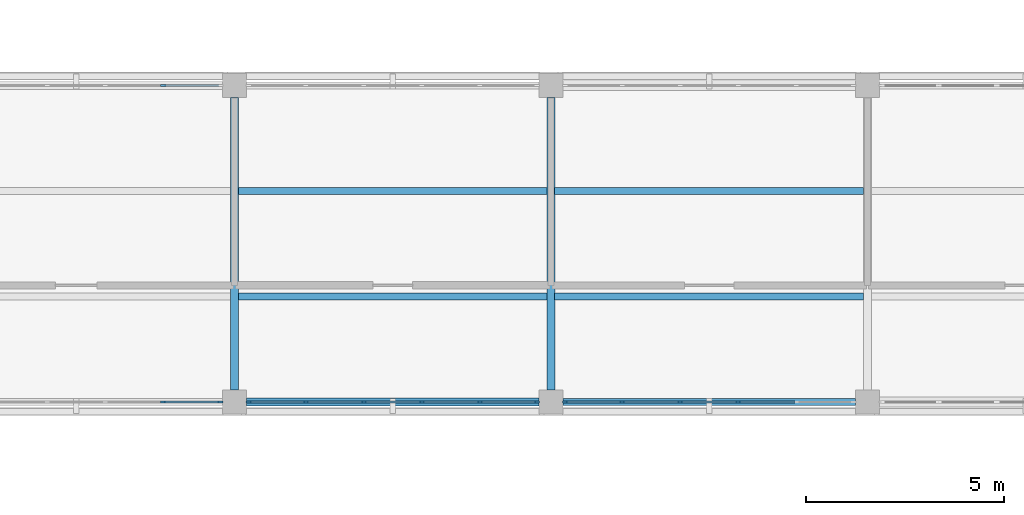
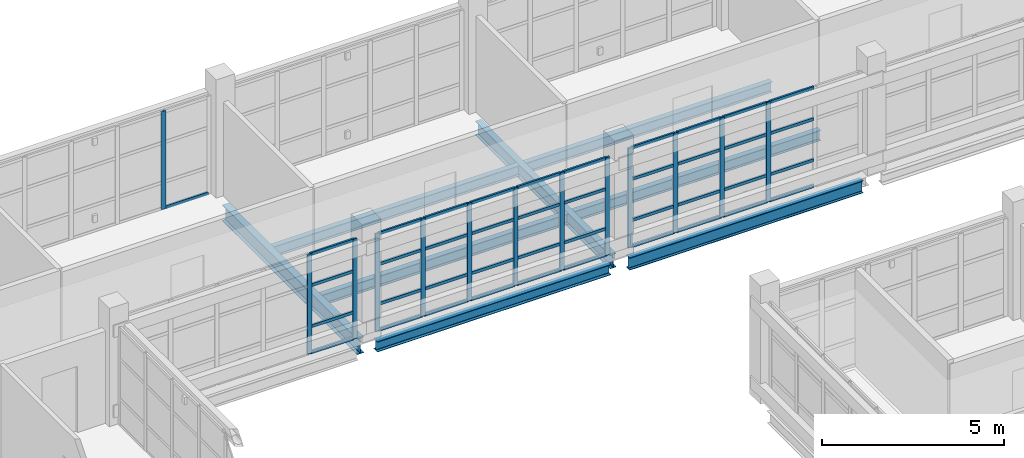
# One storey, part 51 of 126: 54 members, 8 beams, 4 elements without a shape of their own.
"""IFC4 building model written with IfcOpenShell, lengths in metres."""

from ifc_helpers import new_model, si_unit, derived_unit, direction, frame, origin, origin_2d, place, context, subcontext, project, spatial, rectangle, i_section, extrude, material, layer, layer_set, material_profile, profile_set, type_object, element, aggregate, save


model = new_model("IFC4")

# Units and contexts
model_context = context("Model", 3, precision=1e-05, world=origin(), true_north=direction((0.0, 1.0)))
body_context = subcontext(model_context, "Body", "Model", "MODEL_VIEW")
ifc_project = project(units=[si_unit("LENGTHUNIT", "METRE"), si_unit("AREAUNIT", "SQUARE_METRE"), si_unit("VOLUMEUNIT", "CUBIC_METRE"), si_unit("PLANEANGLEUNIT", "RADIAN"), si_unit("MASSUNIT", "GRAM", prefix="KILO"), derived_unit("THERMALTRANSMITTANCEUNIT", [(si_unit("MASSUNIT", "GRAM", prefix="KILO"), 1), (si_unit("TIMEUNIT", "SECOND"), -3), (si_unit("THERMODYNAMICTEMPERATUREUNIT", "KELVIN"), -1)])], contexts=[model_context])

# Site, building, storey
site_placement = place(None, origin())
site = spatial("IfcSite", under=ifc_project, at=site_placement, CompositionType="ELEMENT")
building_placement = place(site_placement, origin())
building = spatial("IfcBuilding", under=site, at=building_placement, Name="Veyamyaing Civic Hall", CompositionType="ELEMENT")
storey_placement = place(building_placement, frame((0.0, 0.0, 9.89990234375)))
storey = spatial("IfcBuildingStorey", under=building, at=storey_placement, Name="L02", CompositionType="ELEMENT", Elevation=9.89990234375)

# Beams
ifc_material_1 = material(Name="Steel ASTM A992", Category="steel")
ifc_material_profile_1 = material_profile(ifc_material_1, i_section(OverallWidth=0.2041015625, OverallDepth=0.35009765625, WebThickness=0.0078125, FlangeThickness=0.01513671875, FilletRadius=0.010009765625, at=origin_2d()), Name="W360X72")
ifc_profile_set_1 = profile_set([ifc_material_profile_1], Name="Steel ASTM A992")
beam_type_1 = type_object("IfcBeamType", Name="B-11", PredefinedType="SPANDREL", material=ifc_profile_set_1)
beam_1_placement = place(storey_placement, frame((128.300048828125, 48.0, -0.4599609375), z_axis=(1.0, 0.0, 0.0), x_axis=(0.0, 1.0, 0.0)))
element("IfcBeam", 1, at=beam_1_placement, inside=storey, type_object=beam_type_1, Name="Girder B-11 L02 Grid G 17-18", PredefinedType="SPANDREL", context=body_context, shape_type="SweptSolid", body=[
    extrude(i_section(OverallWidth=0.2041015625, OverallDepth=0.35009765625, WebThickness=0.0078125, FlangeThickness=0.01513671875, FilletRadius=0.010009765625, at=origin_2d()), origin(), (0.0, 0.0, 1.0), 7.39990234375),
])
ifc_material_profile_2 = material_profile(ifc_material_1, i_section(OverallWidth=0.2109375, OverallDepth=0.5390625, WebThickness=0.01171875, FlangeThickness=0.018798828125, FilletRadius=0.011962890625, at=origin_2d()), Name="W530X109")
ifc_profile_set_2 = profile_set([ifc_material_profile_2], Name="Steel ASTM A992")
beam_type_2 = type_object("IfcBeamType", Name="B-17", PredefinedType="BEAM", material=ifc_profile_set_2)
beam_2_placement = place(storey_placement, frame((128.0, 48.300048828125, -0.554443359375), z_axis=(0.0, 1.0, 0.0), x_axis=(-1.0, 0.0, 0.0)))
element("IfcBeam", 2, at=beam_2_placement, inside=storey, type_object=beam_type_2, Name="Girder B-17 L02 Grid 17 G-H", PredefinedType="BEAM", context=body_context, shape_type="SweptSolid", body=[
    extrude(i_section(OverallWidth=0.2109375, OverallDepth=0.5390625, WebThickness=0.01171875, FlangeThickness=0.018798828125, FilletRadius=0.011962890625, at=origin_2d()), origin(), (0.0, 0.0, 1.0), 7.39990234375),
])
ifc_material_profile_3 = material_profile(ifc_material_1, i_section(OverallWidth=0.194091796875, OverallDepth=0.468994140625, WebThickness=0.0126953125, FlangeThickness=0.0205078125, FilletRadius=0.010009765625, at=origin_2d()), Name="W460X106")
ifc_profile_set_3 = profile_set([ifc_material_profile_3], Name="Steel ASTM A992")
beam_type_3 = type_object("IfcBeamType", Name="B-18", PredefinedType="BEAM", material=ifc_profile_set_3)
beam_3_placement = place(storey_placement, frame((136.0, 48.300048828125, -0.519287109375), z_axis=(0.0, 1.0, 0.0), x_axis=(-1.0, 0.0, 0.0)))
element("IfcBeam", 3, at=beam_3_placement, inside=storey, type_object=beam_type_3, Name="Girder B-18 L02 Grid 18 G-H", PredefinedType="BEAM", context=body_context, shape_type="SweptSolid", body=[
    extrude(i_section(OverallWidth=0.194091796875, OverallDepth=0.468994140625, WebThickness=0.0126953125, FlangeThickness=0.0205078125, FilletRadius=0.010009765625, at=origin_2d()), origin(), (0.0, 0.0, 1.0), 7.39990234375),
])
ifc_material_profile_4 = material_profile(ifc_material_1, i_section(OverallWidth=0.180908203125, OverallDepth=0.4169921875, WebThickness=0.010986328125, FlangeThickness=0.018310546875, FilletRadius=0.010009765625, at=origin_2d()), Name="W410X85")
ifc_profile_set_4 = profile_set([ifc_material_profile_4], Name="Steel ASTM A992")
beam_type_4 = type_object("IfcBeamType", Name="B-19", PredefinedType="SPANDREL", material=ifc_profile_set_4)
beam_4_placement = place(storey_placement, frame((136.300048828125, 48.0, -0.493408203125), z_axis=(1.0, 0.0, 0.0), x_axis=(0.0, 1.0, 0.0)))
element("IfcBeam", 4, at=beam_4_placement, inside=storey, type_object=beam_type_4, Name="Girder B-19 L02 Grid G 18-19", PredefinedType="SPANDREL", context=body_context, shape_type="SweptSolid", body=[
    extrude(i_section(OverallWidth=0.180908203125, OverallDepth=0.4169921875, WebThickness=0.010986328125, FlangeThickness=0.018310546875, FilletRadius=0.010009765625, at=origin_2d()), origin(), (0.0, 0.0, 1.0), 7.39990234375),
])

# Curtain wall, members
ifc_material_2 = material(Name="Anodised aluminium 6063-T6", Category="aluminium")
ifc_layer = layer(ifc_material_2, 0.139892578125, Name="Anodised aluminium 6063-T6")
ifc_layer_set = layer_set([ifc_layer], Name="Anodised aluminium 6063-T6")
curtain_wall_type = type_object("IfcCurtainWallType", Name="CW-04", PredefinedType="NOTDEFINED", material=ifc_layer_set)
curtain_wall_1_placement = place(storey_placement, origin())
curtain_wall_1 = element("IfcCurtainWall", 5, at=curtain_wall_1_placement, inside=storey, type_object=curtain_wall_type, Name="Unitized curtain wall CW-04 L02 S 16.7", PredefinedType="NOTDEFINED")
ifc_material_profile_5 = material_profile(ifc_material_2, rectangle(XDim=0.06005859375, YDim=0.139892578125, at=origin_2d()), Name="ALU-MUL-60X140")
ifc_profile_set_5 = profile_set([ifc_material_profile_5], Name="Anodised aluminium 6063-T6")
member_type_1 = type_object("IfcMemberType", Name="CWM-03", PredefinedType="MULLION", material=ifc_profile_set_5)
member_1_placement = place(storey_placement, frame((126.201904296875, 48.0, 0.0), z_axis=(0.0, 0.0, 1.0), x_axis=(0.0, 1.0, 0.0)))
member_1 = element("IfcMember", 6, at=member_1_placement, type_object=member_type_1, Name="CW-04 mullion 5", PredefinedType="MULLION", context=body_context, shape_type="SweptSolid", body=[
    extrude(rectangle(XDim=0.06005859375, YDim=0.139892578125, at=origin_2d()), origin(), (0.0, 0.0, 1.0), 3.34716796875),
])
member_2_placement = place(storey_placement, frame((127.639892578125, 48.0, 0.0), z_axis=(0.0, 0.0, 1.0), x_axis=(0.0, 1.0, 0.0)))
member_2 = element("IfcMember", 7, at=member_2_placement, type_object=member_type_1, Name="CW-04 mullion 6", PredefinedType="MULLION", context=body_context, shape_type="SweptSolid", body=[
    extrude(rectangle(XDim=0.06005859375, YDim=0.139892578125, at=origin_2d()), origin(), (0.0, 0.0, 1.0), 3.34716796875),
])

# Curtain wall, member
curtain_wall_2_placement = place(storey_placement, origin())
curtain_wall_2 = element("IfcCurtainWall", 8, at=curtain_wall_2_placement, inside=storey, type_object=curtain_wall_type, Name="Unitized curtain wall CW-04 L02 N 16.7", PredefinedType="NOTDEFINED")
member_3_placement = place(storey_placement, frame((126.201904296875, 56.0, 0.0), z_axis=(0.0, 0.0, 1.0), x_axis=(0.0, 1.0, 0.0)))
member_3 = element("IfcMember", 9, at=member_3_placement, type_object=member_type_1, Name="CW-04 mullion 5", PredefinedType="MULLION", context=body_context, shape_type="SweptSolid", body=[
    extrude(rectangle(XDim=0.06005859375, YDim=0.139892578125, at=origin_2d()), origin(), (0.0, 0.0, 1.0), 3.280029296875),
])

# Curtain wall, members
curtain_wall_3_placement = place(storey_placement, origin())
curtain_wall_3 = element("IfcCurtainWall", 10, at=curtain_wall_3_placement, inside=storey, type_object=curtain_wall_type, Name="Unitized curtain wall CW-04 L02 S 17.7", PredefinedType="NOTDEFINED")
member_4_placement = place(storey_placement, frame((128.360107421875, 48.0, 0.0), z_axis=(0.0, 0.0, 1.0), x_axis=(0.0, 1.0, 0.0)))
member_4 = element("IfcMember", 11, at=member_4_placement, type_object=member_type_1, Name="CW-04 mullion 1", PredefinedType="MULLION", context=body_context, shape_type="SweptSolid", body=[
    extrude(rectangle(XDim=0.06005859375, YDim=0.139892578125, at=origin_2d()), origin(), (0.0, 0.0, 1.0), 3.280029296875),
])
member_5_placement = place(storey_placement, frame((129.798095703125, 48.0, 0.0), z_axis=(0.0, 0.0, 1.0), x_axis=(0.0, 1.0, 0.0)))
member_5 = element("IfcMember", 12, at=member_5_placement, type_object=member_type_1, Name="CW-04 mullion 2", PredefinedType="MULLION", context=body_context, shape_type="SweptSolid", body=[
    extrude(rectangle(XDim=0.06005859375, YDim=0.139892578125, at=origin_2d()), origin(), (0.0, 0.0, 1.0), 3.280029296875),
])
member_6_placement = place(storey_placement, frame((131.26611328125, 48.0, 0.0), z_axis=(0.0, 0.0, 1.0), x_axis=(0.0, 1.0, 0.0)))
member_6 = element("IfcMember", 13, at=member_6_placement, type_object=member_type_1, Name="CW-04 mullion 3", PredefinedType="MULLION", context=body_context, shape_type="SweptSolid", body=[
    extrude(rectangle(XDim=0.06005859375, YDim=0.139892578125, at=origin_2d()), origin(), (0.0, 0.0, 1.0), 3.280029296875),
])
member_7_placement = place(storey_placement, frame((132.73388671875, 48.0, 0.0), z_axis=(0.0, 0.0, 1.0), x_axis=(0.0, 1.0, 0.0)))
member_7 = element("IfcMember", 14, at=member_7_placement, type_object=member_type_1, Name="CW-04 mullion 4", PredefinedType="MULLION", context=body_context, shape_type="SweptSolid", body=[
    extrude(rectangle(XDim=0.06005859375, YDim=0.139892578125, at=origin_2d()), origin(), (0.0, 0.0, 1.0), 3.280029296875),
])
member_8_placement = place(storey_placement, frame((134.201904296875, 48.0, 0.0), z_axis=(0.0, 0.0, 1.0), x_axis=(0.0, 1.0, 0.0)))
member_8 = element("IfcMember", 15, at=member_8_placement, type_object=member_type_1, Name="CW-04 mullion 5", PredefinedType="MULLION", context=body_context, shape_type="SweptSolid", body=[
    extrude(rectangle(XDim=0.06005859375, YDim=0.139892578125, at=origin_2d()), origin(), (0.0, 0.0, 1.0), 3.280029296875),
])
member_9_placement = place(storey_placement, frame((135.639892578125, 48.0, 0.0), z_axis=(0.0, 0.0, 1.0), x_axis=(0.0, 1.0, 0.0)))
member_9 = element("IfcMember", 16, at=member_9_placement, type_object=member_type_1, Name="CW-04 mullion 6", PredefinedType="MULLION", context=body_context, shape_type="SweptSolid", body=[
    extrude(rectangle(XDim=0.06005859375, YDim=0.139892578125, at=origin_2d()), origin(), (0.0, 0.0, 1.0), 3.280029296875),
])

curtain_wall_4_placement = place(storey_placement, origin())
curtain_wall_4 = element("IfcCurtainWall", 17, at=curtain_wall_4_placement, inside=storey, type_object=curtain_wall_type, Name="Unitized curtain wall CW-04 L02 S 18.7", PredefinedType="NOTDEFINED")
member_10_placement = place(storey_placement, frame((136.360107421875, 48.0, 0.0), z_axis=(0.0, 0.0, 1.0), x_axis=(0.0, 1.0, 0.0)))
member_10 = element("IfcMember", 18, at=member_10_placement, type_object=member_type_1, Name="CW-04 mullion 1", PredefinedType="MULLION", context=body_context, shape_type="SweptSolid", body=[
    extrude(rectangle(XDim=0.06005859375, YDim=0.139892578125, at=origin_2d()), origin(), (0.0, 0.0, 1.0), 3.343994140625),
])
member_11_placement = place(storey_placement, frame((137.798095703125, 48.0, 0.0), z_axis=(0.0, 0.0, 1.0), x_axis=(0.0, 1.0, 0.0)))
member_11 = element("IfcMember", 19, at=member_11_placement, type_object=member_type_1, Name="CW-04 mullion 2", PredefinedType="MULLION", context=body_context, shape_type="SweptSolid", body=[
    extrude(rectangle(XDim=0.06005859375, YDim=0.139892578125, at=origin_2d()), origin(), (0.0, 0.0, 1.0), 3.343994140625),
])
member_12_placement = place(storey_placement, frame((139.26611328125, 48.0, 0.0), z_axis=(0.0, 0.0, 1.0), x_axis=(0.0, 1.0, 0.0)))
member_12 = element("IfcMember", 20, at=member_12_placement, type_object=member_type_1, Name="CW-04 mullion 3", PredefinedType="MULLION", context=body_context, shape_type="SweptSolid", body=[
    extrude(rectangle(XDim=0.06005859375, YDim=0.139892578125, at=origin_2d()), origin(), (0.0, 0.0, 1.0), 3.343994140625),
])
member_13_placement = place(storey_placement, frame((140.73388671875, 48.0, 0.0), z_axis=(0.0, 0.0, 1.0), x_axis=(0.0, 1.0, 0.0)))
member_13 = element("IfcMember", 21, at=member_13_placement, type_object=member_type_1, Name="CW-04 mullion 4", PredefinedType="MULLION", context=body_context, shape_type="SweptSolid", body=[
    extrude(rectangle(XDim=0.06005859375, YDim=0.139892578125, at=origin_2d()), origin(), (0.0, 0.0, 1.0), 3.343994140625),
])

# Member
ifc_material_profile_6 = material_profile(ifc_material_2, rectangle(XDim=0.06005859375, YDim=0.10009765625, at=origin_2d()), Name="ALU-TRN-60X100")
ifc_profile_set_6 = profile_set([ifc_material_profile_6], Name="Anodised aluminium 6063-T6")
member_type_2 = type_object("IfcMemberType", Name="CWT-03", PredefinedType="USERDEFINED", material=ifc_profile_set_6)
member_14_placement = place(storey_placement, frame((126.23193359375, 48.0, 0.030029296875), z_axis=(1.0, 0.0, 0.0), x_axis=(0.0, 1.0, 0.0)))
member_14 = element("IfcMember", 22, at=member_14_placement, type_object=member_type_2, Name="CW-04 transom 5.1", ObjectType="TRANSOM", PredefinedType="USERDEFINED", context=body_context, shape_type="SweptSolid", body=[
    extrude(rectangle(XDim=0.06005859375, YDim=0.10009765625, at=origin_2d()), origin(), (0.0, 0.0, 1.0), 1.378173828125),
])

member_15_placement = place(storey_placement, frame((126.23193359375, 48.0, 0.900146484375), z_axis=(1.0, 0.0, 0.0), x_axis=(0.0, 1.0, 0.0)))
member_15 = element("IfcMember", 23, at=member_15_placement, type_object=member_type_2, Name="CW-04 transom 5.2", ObjectType="TRANSOM", PredefinedType="USERDEFINED", context=body_context, shape_type="SweptSolid", body=[
    extrude(rectangle(XDim=0.06005859375, YDim=0.10009765625, at=origin_2d()), origin(), (0.0, 0.0, 1.0), 1.378173828125),
])

member_16_placement = place(storey_placement, frame((126.23193359375, 48.0, 2.276123046875), z_axis=(1.0, 0.0, 0.0), x_axis=(0.0, 1.0, 0.0)))
member_16 = element("IfcMember", 24, at=member_16_placement, type_object=member_type_2, Name="CW-04 transom 5.3", ObjectType="TRANSOM", PredefinedType="USERDEFINED", context=body_context, shape_type="SweptSolid", body=[
    extrude(rectangle(XDim=0.06005859375, YDim=0.10009765625, at=origin_2d()), origin(), (0.0, 0.0, 1.0), 1.378173828125),
])

member_17_placement = place(storey_placement, frame((126.23193359375, 48.0, 3.317138671875), z_axis=(1.0, 0.0, 0.0), x_axis=(0.0, 1.0, 0.0)))
member_17 = element("IfcMember", 25, at=member_17_placement, type_object=member_type_2, Name="CW-04 transom 5.4", ObjectType="TRANSOM", PredefinedType="USERDEFINED", context=body_context, shape_type="SweptSolid", body=[
    extrude(rectangle(XDim=0.06005859375, YDim=0.10009765625, at=origin_2d()), origin(), (0.0, 0.0, 1.0), 1.378173828125),
])

aggregate(curtain_wall_1, [member_1, member_2, member_14, member_15, member_16, member_17])

member_18_placement = place(storey_placement, frame((126.23193359375, 56.0, 0.030029296875), z_axis=(1.0, 0.0, 0.0), x_axis=(0.0, 1.0, 0.0)))
member_18 = element("IfcMember", 26, at=member_18_placement, type_object=member_type_2, Name="CW-04 transom 5.1", ObjectType="TRANSOM", PredefinedType="USERDEFINED", context=body_context, shape_type="SweptSolid", body=[
    extrude(rectangle(XDim=0.06005859375, YDim=0.10009765625, at=origin_2d()), origin(), (0.0, 0.0, 1.0), 1.378173828125),
])

aggregate(curtain_wall_2, [member_3, member_18])

member_19_placement = place(storey_placement, frame((128.389892578125, 48.0, 0.030029296875), z_axis=(1.0, 0.0, 0.0), x_axis=(0.0, 1.0, 0.0)))
member_19 = element("IfcMember", 27, at=member_19_placement, type_object=member_type_2, Name="CW-04 transom 1.1", ObjectType="TRANSOM", PredefinedType="USERDEFINED", context=body_context, shape_type="SweptSolid", body=[
    extrude(rectangle(XDim=0.06005859375, YDim=0.10009765625, at=origin_2d()), origin(), (0.0, 0.0, 1.0), 1.378173828125),
])

member_20_placement = place(storey_placement, frame((128.389892578125, 48.0, 0.900146484375), z_axis=(1.0, 0.0, 0.0), x_axis=(0.0, 1.0, 0.0)))
member_20 = element("IfcMember", 28, at=member_20_placement, type_object=member_type_2, Name="CW-04 transom 1.2", ObjectType="TRANSOM", PredefinedType="USERDEFINED", context=body_context, shape_type="SweptSolid", body=[
    extrude(rectangle(XDim=0.06005859375, YDim=0.10009765625, at=origin_2d()), origin(), (0.0, 0.0, 1.0), 1.378173828125),
])

member_21_placement = place(storey_placement, frame((128.389892578125, 48.0, 2.23046875), z_axis=(1.0, 0.0, 0.0), x_axis=(0.0, 1.0, 0.0)))
member_21 = element("IfcMember", 29, at=member_21_placement, type_object=member_type_2, Name="CW-04 transom 1.3", ObjectType="TRANSOM", PredefinedType="USERDEFINED", context=body_context, shape_type="SweptSolid", body=[
    extrude(rectangle(XDim=0.06005859375, YDim=0.10009765625, at=origin_2d()), origin(), (0.0, 0.0, 1.0), 1.378173828125),
])

member_22_placement = place(storey_placement, frame((128.389892578125, 48.0, 3.25), z_axis=(1.0, 0.0, 0.0), x_axis=(0.0, 1.0, 0.0)))
member_22 = element("IfcMember", 30, at=member_22_placement, type_object=member_type_2, Name="CW-04 transom 1.4", ObjectType="TRANSOM", PredefinedType="USERDEFINED", context=body_context, shape_type="SweptSolid", body=[
    extrude(rectangle(XDim=0.06005859375, YDim=0.10009765625, at=origin_2d()), origin(), (0.0, 0.0, 1.0), 1.378173828125),
])

member_23_placement = place(storey_placement, frame((129.827880859375, 48.0, 0.030029296875), z_axis=(1.0, 0.0, 0.0), x_axis=(0.0, 1.0, 0.0)))
member_23 = element("IfcMember", 31, at=member_23_placement, type_object=member_type_2, Name="CW-04 transom 2.1", ObjectType="TRANSOM", PredefinedType="USERDEFINED", context=body_context, shape_type="SweptSolid", body=[
    extrude(rectangle(XDim=0.06005859375, YDim=0.10009765625, at=origin_2d()), origin(), (0.0, 0.0, 1.0), 1.408203125),
])

member_24_placement = place(storey_placement, frame((129.827880859375, 48.0, 0.900146484375), z_axis=(1.0, 0.0, 0.0), x_axis=(0.0, 1.0, 0.0)))
member_24 = element("IfcMember", 32, at=member_24_placement, type_object=member_type_2, Name="CW-04 transom 2.2", ObjectType="TRANSOM", PredefinedType="USERDEFINED", context=body_context, shape_type="SweptSolid", body=[
    extrude(rectangle(XDim=0.06005859375, YDim=0.10009765625, at=origin_2d()), origin(), (0.0, 0.0, 1.0), 1.408203125),
])

member_25_placement = place(storey_placement, frame((129.827880859375, 48.0, 2.23046875), z_axis=(1.0, 0.0, 0.0), x_axis=(0.0, 1.0, 0.0)))
member_25 = element("IfcMember", 33, at=member_25_placement, type_object=member_type_2, Name="CW-04 transom 2.3", ObjectType="TRANSOM", PredefinedType="USERDEFINED", context=body_context, shape_type="SweptSolid", body=[
    extrude(rectangle(XDim=0.06005859375, YDim=0.10009765625, at=origin_2d()), origin(), (0.0, 0.0, 1.0), 1.408203125),
])

member_26_placement = place(storey_placement, frame((129.827880859375, 48.0, 3.25), z_axis=(1.0, 0.0, 0.0), x_axis=(0.0, 1.0, 0.0)))
member_26 = element("IfcMember", 34, at=member_26_placement, type_object=member_type_2, Name="CW-04 transom 2.4", ObjectType="TRANSOM", PredefinedType="USERDEFINED", context=body_context, shape_type="SweptSolid", body=[
    extrude(rectangle(XDim=0.06005859375, YDim=0.10009765625, at=origin_2d()), origin(), (0.0, 0.0, 1.0), 1.408203125),
])

member_27_placement = place(storey_placement, frame((131.2958984375, 48.0, 0.030029296875), z_axis=(1.0, 0.0, 0.0), x_axis=(0.0, 1.0, 0.0)))
member_27 = element("IfcMember", 35, at=member_27_placement, type_object=member_type_2, Name="CW-04 transom 3.1", ObjectType="TRANSOM", PredefinedType="USERDEFINED", context=body_context, shape_type="SweptSolid", body=[
    extrude(rectangle(XDim=0.06005859375, YDim=0.10009765625, at=origin_2d()), origin(), (0.0, 0.0, 1.0), 1.408203125),
])

member_28_placement = place(storey_placement, frame((131.2958984375, 48.0, 0.900146484375), z_axis=(1.0, 0.0, 0.0), x_axis=(0.0, 1.0, 0.0)))
member_28 = element("IfcMember", 36, at=member_28_placement, type_object=member_type_2, Name="CW-04 transom 3.2", ObjectType="TRANSOM", PredefinedType="USERDEFINED", context=body_context, shape_type="SweptSolid", body=[
    extrude(rectangle(XDim=0.06005859375, YDim=0.10009765625, at=origin_2d()), origin(), (0.0, 0.0, 1.0), 1.408203125),
])

member_29_placement = place(storey_placement, frame((131.2958984375, 48.0, 2.23046875), z_axis=(1.0, 0.0, 0.0), x_axis=(0.0, 1.0, 0.0)))
member_29 = element("IfcMember", 37, at=member_29_placement, type_object=member_type_2, Name="CW-04 transom 3.3", ObjectType="TRANSOM", PredefinedType="USERDEFINED", context=body_context, shape_type="SweptSolid", body=[
    extrude(rectangle(XDim=0.06005859375, YDim=0.10009765625, at=origin_2d()), origin(), (0.0, 0.0, 1.0), 1.408203125),
])

member_30_placement = place(storey_placement, frame((131.2958984375, 48.0, 3.25), z_axis=(1.0, 0.0, 0.0), x_axis=(0.0, 1.0, 0.0)))
member_30 = element("IfcMember", 38, at=member_30_placement, type_object=member_type_2, Name="CW-04 transom 3.4", ObjectType="TRANSOM", PredefinedType="USERDEFINED", context=body_context, shape_type="SweptSolid", body=[
    extrude(rectangle(XDim=0.06005859375, YDim=0.10009765625, at=origin_2d()), origin(), (0.0, 0.0, 1.0), 1.408203125),
])

member_31_placement = place(storey_placement, frame((132.763916015625, 48.0, 0.030029296875), z_axis=(1.0, 0.0, 0.0), x_axis=(0.0, 1.0, 0.0)))
member_31 = element("IfcMember", 39, at=member_31_placement, type_object=member_type_2, Name="CW-04 transom 4.1", ObjectType="TRANSOM", PredefinedType="USERDEFINED", context=body_context, shape_type="SweptSolid", body=[
    extrude(rectangle(XDim=0.06005859375, YDim=0.10009765625, at=origin_2d()), origin(), (0.0, 0.0, 1.0), 1.408203125),
])

member_32_placement = place(storey_placement, frame((132.763916015625, 48.0, 0.900146484375), z_axis=(1.0, 0.0, 0.0), x_axis=(0.0, 1.0, 0.0)))
member_32 = element("IfcMember", 40, at=member_32_placement, type_object=member_type_2, Name="CW-04 transom 4.2", ObjectType="TRANSOM", PredefinedType="USERDEFINED", context=body_context, shape_type="SweptSolid", body=[
    extrude(rectangle(XDim=0.06005859375, YDim=0.10009765625, at=origin_2d()), origin(), (0.0, 0.0, 1.0), 1.408203125),
])

member_33_placement = place(storey_placement, frame((132.763916015625, 48.0, 2.23046875), z_axis=(1.0, 0.0, 0.0), x_axis=(0.0, 1.0, 0.0)))
member_33 = element("IfcMember", 41, at=member_33_placement, type_object=member_type_2, Name="CW-04 transom 4.3", ObjectType="TRANSOM", PredefinedType="USERDEFINED", context=body_context, shape_type="SweptSolid", body=[
    extrude(rectangle(XDim=0.06005859375, YDim=0.10009765625, at=origin_2d()), origin(), (0.0, 0.0, 1.0), 1.408203125),
])

member_34_placement = place(storey_placement, frame((132.763916015625, 48.0, 3.25), z_axis=(1.0, 0.0, 0.0), x_axis=(0.0, 1.0, 0.0)))
member_34 = element("IfcMember", 42, at=member_34_placement, type_object=member_type_2, Name="CW-04 transom 4.4", ObjectType="TRANSOM", PredefinedType="USERDEFINED", context=body_context, shape_type="SweptSolid", body=[
    extrude(rectangle(XDim=0.06005859375, YDim=0.10009765625, at=origin_2d()), origin(), (0.0, 0.0, 1.0), 1.408203125),
])

member_35_placement = place(storey_placement, frame((134.23193359375, 48.0, 0.030029296875), z_axis=(1.0, 0.0, 0.0), x_axis=(0.0, 1.0, 0.0)))
member_35 = element("IfcMember", 43, at=member_35_placement, type_object=member_type_2, Name="CW-04 transom 5.1", ObjectType="TRANSOM", PredefinedType="USERDEFINED", context=body_context, shape_type="SweptSolid", body=[
    extrude(rectangle(XDim=0.06005859375, YDim=0.10009765625, at=origin_2d()), origin(), (0.0, 0.0, 1.0), 1.378173828125),
])

member_36_placement = place(storey_placement, frame((134.23193359375, 48.0, 0.900146484375), z_axis=(1.0, 0.0, 0.0), x_axis=(0.0, 1.0, 0.0)))
member_36 = element("IfcMember", 44, at=member_36_placement, type_object=member_type_2, Name="CW-04 transom 5.2", ObjectType="TRANSOM", PredefinedType="USERDEFINED", context=body_context, shape_type="SweptSolid", body=[
    extrude(rectangle(XDim=0.06005859375, YDim=0.10009765625, at=origin_2d()), origin(), (0.0, 0.0, 1.0), 1.378173828125),
])

member_37_placement = place(storey_placement, frame((134.23193359375, 48.0, 2.23046875), z_axis=(1.0, 0.0, 0.0), x_axis=(0.0, 1.0, 0.0)))
member_37 = element("IfcMember", 45, at=member_37_placement, type_object=member_type_2, Name="CW-04 transom 5.3", ObjectType="TRANSOM", PredefinedType="USERDEFINED", context=body_context, shape_type="SweptSolid", body=[
    extrude(rectangle(XDim=0.06005859375, YDim=0.10009765625, at=origin_2d()), origin(), (0.0, 0.0, 1.0), 1.378173828125),
])

member_38_placement = place(storey_placement, frame((134.23193359375, 48.0, 3.25), z_axis=(1.0, 0.0, 0.0), x_axis=(0.0, 1.0, 0.0)))
member_38 = element("IfcMember", 46, at=member_38_placement, type_object=member_type_2, Name="CW-04 transom 5.4", ObjectType="TRANSOM", PredefinedType="USERDEFINED", context=body_context, shape_type="SweptSolid", body=[
    extrude(rectangle(XDim=0.06005859375, YDim=0.10009765625, at=origin_2d()), origin(), (0.0, 0.0, 1.0), 1.378173828125),
])

aggregate(curtain_wall_3, [member_4, member_5, member_6, member_7, member_8, member_9, member_19, member_20, member_21, member_22, member_23, member_24, member_25, member_26, member_27, member_28, member_29, member_30, member_31, member_32, member_33, member_34, member_35, member_36, member_37, member_38])

member_39_placement = place(storey_placement, frame((136.389892578125, 48.0, 0.030029296875), z_axis=(1.0, 0.0, 0.0), x_axis=(0.0, 1.0, 0.0)))
member_39 = element("IfcMember", 47, at=member_39_placement, type_object=member_type_2, Name="CW-04 transom 1.1", ObjectType="TRANSOM", PredefinedType="USERDEFINED", context=body_context, shape_type="SweptSolid", body=[
    extrude(rectangle(XDim=0.06005859375, YDim=0.10009765625, at=origin_2d()), origin(), (0.0, 0.0, 1.0), 1.378173828125),
])

member_40_placement = place(storey_placement, frame((136.389892578125, 48.0, 0.900146484375), z_axis=(1.0, 0.0, 0.0), x_axis=(0.0, 1.0, 0.0)))
member_40 = element("IfcMember", 48, at=member_40_placement, type_object=member_type_2, Name="CW-04 transom 1.2", ObjectType="TRANSOM", PredefinedType="USERDEFINED", context=body_context, shape_type="SweptSolid", body=[
    extrude(rectangle(XDim=0.06005859375, YDim=0.10009765625, at=origin_2d()), origin(), (0.0, 0.0, 1.0), 1.378173828125),
])

member_41_placement = place(storey_placement, frame((136.389892578125, 48.0, 2.27392578125), z_axis=(1.0, 0.0, 0.0), x_axis=(0.0, 1.0, 0.0)))
member_41 = element("IfcMember", 49, at=member_41_placement, type_object=member_type_2, Name="CW-04 transom 1.3", ObjectType="TRANSOM", PredefinedType="USERDEFINED", context=body_context, shape_type="SweptSolid", body=[
    extrude(rectangle(XDim=0.06005859375, YDim=0.10009765625, at=origin_2d()), origin(), (0.0, 0.0, 1.0), 1.378173828125),
])

member_42_placement = place(storey_placement, frame((136.389892578125, 48.0, 3.314208984375), z_axis=(1.0, 0.0, 0.0), x_axis=(0.0, 1.0, 0.0)))
member_42 = element("IfcMember", 50, at=member_42_placement, type_object=member_type_2, Name="CW-04 transom 1.4", ObjectType="TRANSOM", PredefinedType="USERDEFINED", context=body_context, shape_type="SweptSolid", body=[
    extrude(rectangle(XDim=0.06005859375, YDim=0.10009765625, at=origin_2d()), origin(), (0.0, 0.0, 1.0), 1.378173828125),
])

member_43_placement = place(storey_placement, frame((137.827880859375, 48.0, 0.030029296875), z_axis=(1.0, 0.0, 0.0), x_axis=(0.0, 1.0, 0.0)))
member_43 = element("IfcMember", 51, at=member_43_placement, type_object=member_type_2, Name="CW-04 transom 2.1", ObjectType="TRANSOM", PredefinedType="USERDEFINED", context=body_context, shape_type="SweptSolid", body=[
    extrude(rectangle(XDim=0.06005859375, YDim=0.10009765625, at=origin_2d()), origin(), (0.0, 0.0, 1.0), 1.408203125),
])

member_44_placement = place(storey_placement, frame((137.827880859375, 48.0, 0.900146484375), z_axis=(1.0, 0.0, 0.0), x_axis=(0.0, 1.0, 0.0)))
member_44 = element("IfcMember", 52, at=member_44_placement, type_object=member_type_2, Name="CW-04 transom 2.2", ObjectType="TRANSOM", PredefinedType="USERDEFINED", context=body_context, shape_type="SweptSolid", body=[
    extrude(rectangle(XDim=0.06005859375, YDim=0.10009765625, at=origin_2d()), origin(), (0.0, 0.0, 1.0), 1.408203125),
])

member_45_placement = place(storey_placement, frame((137.827880859375, 48.0, 2.27392578125), z_axis=(1.0, 0.0, 0.0), x_axis=(0.0, 1.0, 0.0)))
member_45 = element("IfcMember", 53, at=member_45_placement, type_object=member_type_2, Name="CW-04 transom 2.3", ObjectType="TRANSOM", PredefinedType="USERDEFINED", context=body_context, shape_type="SweptSolid", body=[
    extrude(rectangle(XDim=0.06005859375, YDim=0.10009765625, at=origin_2d()), origin(), (0.0, 0.0, 1.0), 1.408203125),
])

member_46_placement = place(storey_placement, frame((137.827880859375, 48.0, 3.314208984375), z_axis=(1.0, 0.0, 0.0), x_axis=(0.0, 1.0, 0.0)))
member_46 = element("IfcMember", 54, at=member_46_placement, type_object=member_type_2, Name="CW-04 transom 2.4", ObjectType="TRANSOM", PredefinedType="USERDEFINED", context=body_context, shape_type="SweptSolid", body=[
    extrude(rectangle(XDim=0.06005859375, YDim=0.10009765625, at=origin_2d()), origin(), (0.0, 0.0, 1.0), 1.408203125),
])

member_47_placement = place(storey_placement, frame((139.2958984375, 48.0, 0.030029296875), z_axis=(1.0, 0.0, 0.0), x_axis=(0.0, 1.0, 0.0)))
member_47 = element("IfcMember", 55, at=member_47_placement, type_object=member_type_2, Name="CW-04 transom 3.1", ObjectType="TRANSOM", PredefinedType="USERDEFINED", context=body_context, shape_type="SweptSolid", body=[
    extrude(rectangle(XDim=0.06005859375, YDim=0.10009765625, at=origin_2d()), origin(), (0.0, 0.0, 1.0), 1.408203125),
])

member_48_placement = place(storey_placement, frame((139.2958984375, 48.0, 0.900146484375), z_axis=(1.0, 0.0, 0.0), x_axis=(0.0, 1.0, 0.0)))
member_48 = element("IfcMember", 56, at=member_48_placement, type_object=member_type_2, Name="CW-04 transom 3.2", ObjectType="TRANSOM", PredefinedType="USERDEFINED", context=body_context, shape_type="SweptSolid", body=[
    extrude(rectangle(XDim=0.06005859375, YDim=0.10009765625, at=origin_2d()), origin(), (0.0, 0.0, 1.0), 1.408203125),
])

member_49_placement = place(storey_placement, frame((139.2958984375, 48.0, 2.27392578125), z_axis=(1.0, 0.0, 0.0), x_axis=(0.0, 1.0, 0.0)))
member_49 = element("IfcMember", 57, at=member_49_placement, type_object=member_type_2, Name="CW-04 transom 3.3", ObjectType="TRANSOM", PredefinedType="USERDEFINED", context=body_context, shape_type="SweptSolid", body=[
    extrude(rectangle(XDim=0.06005859375, YDim=0.10009765625, at=origin_2d()), origin(), (0.0, 0.0, 1.0), 1.408203125),
])

member_50_placement = place(storey_placement, frame((139.2958984375, 48.0, 3.314208984375), z_axis=(1.0, 0.0, 0.0), x_axis=(0.0, 1.0, 0.0)))
member_50 = element("IfcMember", 58, at=member_50_placement, type_object=member_type_2, Name="CW-04 transom 3.4", ObjectType="TRANSOM", PredefinedType="USERDEFINED", context=body_context, shape_type="SweptSolid", body=[
    extrude(rectangle(XDim=0.06005859375, YDim=0.10009765625, at=origin_2d()), origin(), (0.0, 0.0, 1.0), 1.408203125),
])

member_51_placement = place(storey_placement, frame((140.763916015625, 48.0, 0.030029296875), z_axis=(1.0, 0.0, 0.0), x_axis=(0.0, 1.0, 0.0)))
member_51 = element("IfcMember", 59, at=member_51_placement, type_object=member_type_2, Name="CW-04 transom 4.1", ObjectType="TRANSOM", PredefinedType="USERDEFINED", context=body_context, shape_type="SweptSolid", body=[
    extrude(rectangle(XDim=0.06005859375, YDim=0.10009765625, at=origin_2d()), origin(), (0.0, 0.0, 1.0), 1.408203125),
])

member_52_placement = place(storey_placement, frame((140.763916015625, 48.0, 0.900146484375), z_axis=(1.0, 0.0, 0.0), x_axis=(0.0, 1.0, 0.0)))
member_52 = element("IfcMember", 60, at=member_52_placement, type_object=member_type_2, Name="CW-04 transom 4.2", ObjectType="TRANSOM", PredefinedType="USERDEFINED", context=body_context, shape_type="SweptSolid", body=[
    extrude(rectangle(XDim=0.06005859375, YDim=0.10009765625, at=origin_2d()), origin(), (0.0, 0.0, 1.0), 1.408203125),
])

member_53_placement = place(storey_placement, frame((140.763916015625, 48.0, 2.27392578125), z_axis=(1.0, 0.0, 0.0), x_axis=(0.0, 1.0, 0.0)))
member_53 = element("IfcMember", 61, at=member_53_placement, type_object=member_type_2, Name="CW-04 transom 4.3", ObjectType="TRANSOM", PredefinedType="USERDEFINED", context=body_context, shape_type="SweptSolid", body=[
    extrude(rectangle(XDim=0.06005859375, YDim=0.10009765625, at=origin_2d()), origin(), (0.0, 0.0, 1.0), 1.408203125),
])

member_54_placement = place(storey_placement, frame((140.763916015625, 48.0, 3.314208984375), z_axis=(1.0, 0.0, 0.0), x_axis=(0.0, 1.0, 0.0)))
member_54 = element("IfcMember", 62, at=member_54_placement, type_object=member_type_2, Name="CW-04 transom 4.4", ObjectType="TRANSOM", PredefinedType="USERDEFINED", context=body_context, shape_type="SweptSolid", body=[
    extrude(rectangle(XDim=0.06005859375, YDim=0.10009765625, at=origin_2d()), origin(), (0.0, 0.0, 1.0), 1.408203125),
])

aggregate(curtain_wall_4, [member_10, member_11, member_12, member_13, member_39, member_40, member_41, member_42, member_43, member_44, member_45, member_46, member_47, member_48, member_49, member_50, member_51, member_52, member_53, member_54])

# Beams
ifc_material_profile_7 = material_profile(ifc_material_1, i_section(OverallWidth=0.172119140625, OverallDepth=0.35791015625, WebThickness=0.0078125, FlangeThickness=0.01318359375, FilletRadius=0.010009765625, at=origin_2d()), Name="W360X57")
ifc_profile_set_7 = profile_set([ifc_material_profile_7], Name="Steel ASTM A992")
beam_type_5 = type_object("IfcBeamType", Name="J-02", PredefinedType="JOIST", material=ifc_profile_set_7)
for number, where, z_axis, x_axis, name in (
    (63, (128.103515625, 50.666748046875, -0.4638671875), (1.0, 0.0, 0.0), (0.0, 1.0, 0.0), "Composite floor joist J-02 L02 17.7.1"),
    (64, (128.103515625, 53.333251953125, -0.4638671875), (1.0, 0.0, 0.0), (0.0, 1.0, 0.0), "Composite floor joist J-02 L02 17.7.2"),
):
    element("IfcBeam", number, at=place(storey_placement, frame(where, z_axis=z_axis, x_axis=x_axis)), inside=storey, type_object=beam_type_5, Name=name, PredefinedType="JOIST", context=body_context, shape_type="SweptSolid", body=[
        extrude(i_section(OverallWidth=0.172119140625, OverallDepth=0.35791015625, WebThickness=0.0078125, FlangeThickness=0.01318359375, FilletRadius=0.010009765625, at=origin_2d()), origin(), (0.0, 0.0, 1.0), 7.801513671875),
    ])
ifc_material_profile_8 = material_profile(ifc_material_1, i_section(OverallWidth=0.1708984375, OverallDepth=0.35205078125, WebThickness=0.0068359375, FlangeThickness=0.009765625, FilletRadius=0.010009765625, at=origin_2d()), Name="W360X44")
ifc_profile_set_8 = profile_set([ifc_material_profile_8], Name="Steel ASTM A992")
beam_type_6 = type_object("IfcBeamType", Name="J-03", PredefinedType="JOIST", material=ifc_profile_set_8)
for number, where, z_axis, x_axis, name in (
    (65, (136.094970703125, 50.666748046875, -0.4609375), (1.0, 0.0, 0.0), (0.0, 1.0, 0.0), "Composite floor joist J-03 L02 18.7.1"),
    (66, (136.094970703125, 53.333251953125, -0.4609375), (1.0, 0.0, 0.0), (0.0, 1.0, 0.0), "Composite floor joist J-03 L02 18.7.2"),
):
    element("IfcBeam", number, at=place(storey_placement, frame(where, z_axis=z_axis, x_axis=x_axis)), inside=storey, type_object=beam_type_6, Name=name, PredefinedType="JOIST", context=body_context, shape_type="SweptSolid", body=[
        extrude(i_section(OverallWidth=0.1708984375, OverallDepth=0.35205078125, WebThickness=0.0068359375, FlangeThickness=0.009765625, FilletRadius=0.010009765625, at=origin_2d()), origin(), (0.0, 0.0, 1.0), 7.802490234375),
    ])

save(model, "model.ifc")
